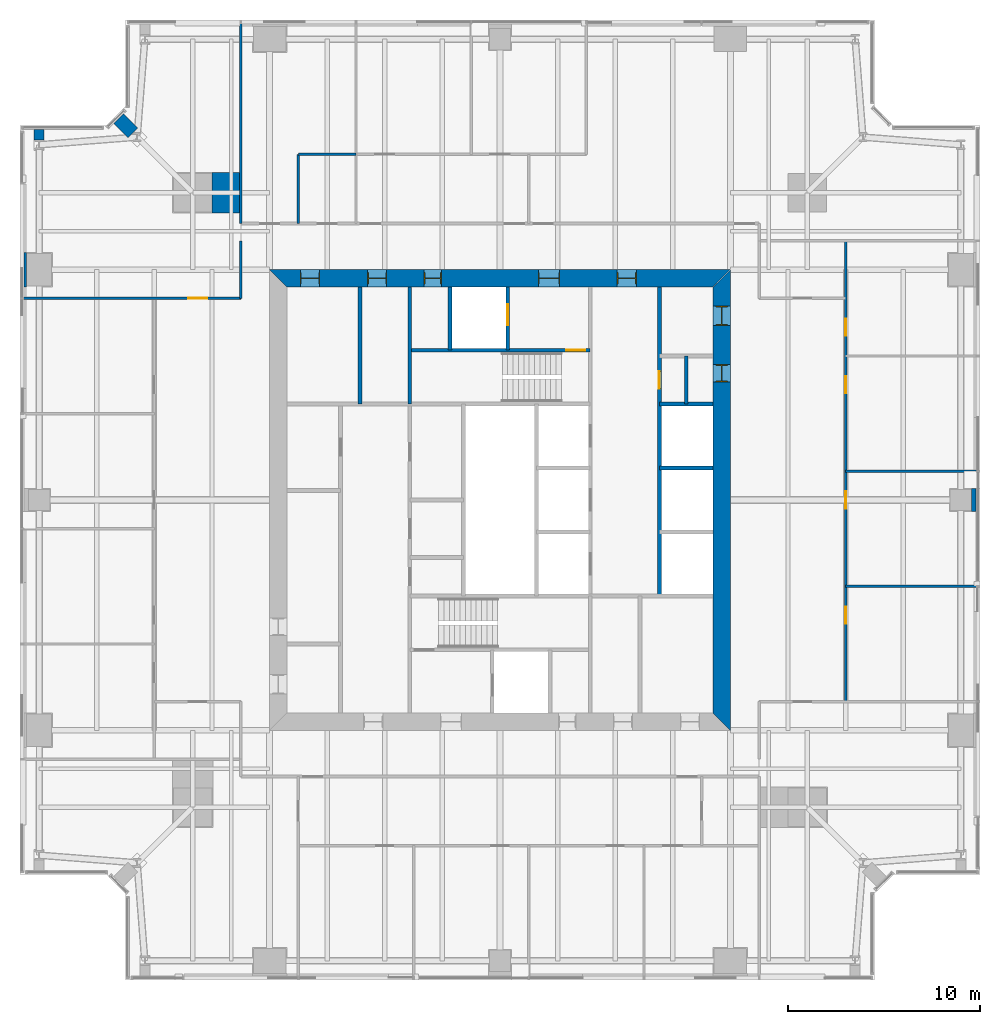
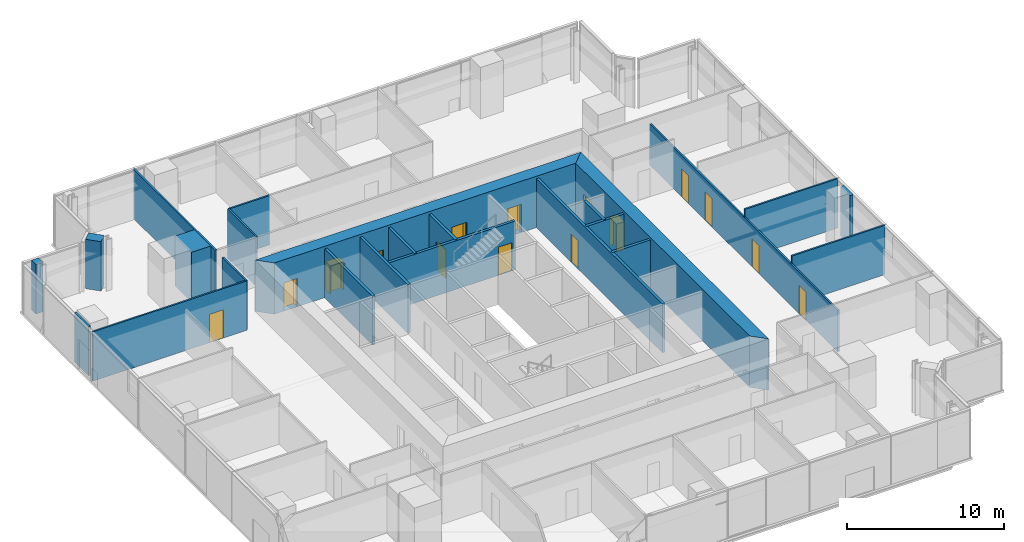
# One storey, part 11 of 14: 24 walls, 15 doors, 15 openings.
"""IFC4 building model written with IfcOpenShell, lengths in metres."""

from ifc_helpers import new_model, si_unit, direction, frame, frame_2d, origin, place, context, subcontext, project, spatial, polyline, rectangle, outline, extrude, material, layer, layer_set, type_object, element, fill, save


model = new_model("IFC4")

# Units and contexts
model_context = context("Model", 3, precision=1e-05, world=origin(), true_north=direction((0.0, 1.0)))
body_context = subcontext(model_context, "Body", "Model", "MODEL_VIEW")
ifc_project = project(units=[si_unit("LENGTHUNIT", "METRE"), si_unit("AREAUNIT", "SQUARE_METRE"), si_unit("VOLUMEUNIT", "CUBIC_METRE"), si_unit("PLANEANGLEUNIT", "RADIAN"), si_unit("MASSUNIT", "GRAM", prefix="KILO")], contexts=[model_context])

# Site, building, storey
site_placement = place(None, origin())
site = spatial("IfcSite", under=ifc_project, at=site_placement, CompositionType="ELEMENT")
building_placement = place(site_placement, origin())
building = spatial("IfcBuilding", under=site, at=building_placement, Name="Fenwick Lantern Interchange", CompositionType="ELEMENT")
storey_placement = place(building_placement, frame((0.0, 0.0, 225.800048828125)))
storey = spatial("IfcBuildingStorey", under=building, at=storey_placement, Name="L53", CompositionType="ELEMENT", Elevation=225.800048828125)

# Walls
ifc_material_1 = material(Name="Fire-rated gypsum board encasement on steel studs, 2 hour", Category="steel")
ifc_layer_1 = layer(ifc_material_1, 1.199951171875)
ifc_layer_set_1 = layer_set([ifc_layer_1], Name="COLUMN PIER 1200")
wall_type_1 = type_object("IfcWallType", Name="COLUMN PIER 1200", PredefinedType="PARTITIONING", material=ifc_layer_set_1)
wall_1_placement = place(storey_placement, frame((49.800048828125, 25.0, 0.0), z_axis=(0.0, 0.0, 1.0), x_axis=(-1.0, 0.0, 0.0)))
element("IfcWall", 1, at=wall_1_placement, inside=storey, type_object=wall_type_1, Name="L53/W/PIER/CE3", PredefinedType="PARTITIONING", context=body_context, shape_type="SweptSolid", body=[
    extrude(rectangle(XDim=0.25, YDim=1.199951171875, at=frame_2d((0.125, 0.0))), origin(), (0.0, 0.0, 1.0), 3.849853515625),
])
ifc_layer_2 = layer(ifc_material_1, 1.800048828125)
ifc_layer_set_2 = layer_set([ifc_layer_2], Name="COLUMN PIER 1800")
wall_type_2 = type_object("IfcWallType", Name="COLUMN PIER 1800", PredefinedType="PARTITIONING", material=ifc_layer_set_2)
wall_2_placement = place(storey_placement, frame((0.199951171875, 37.0, 0.0), z_axis=(0.0, 0.0, 1.0), x_axis=(1.0, 0.0, 0.0)))
element("IfcWall", 2, at=wall_2_placement, inside=storey, type_object=wall_type_2, Name="L53/W/PIER/CW2", PredefinedType="PARTITIONING", context=body_context, shape_type="SweptSolid", body=[
    extrude(rectangle(XDim=0.150146484375, YDim=1.800048828125, at=frame_2d((0.0751953125, 0.0))), origin(), (0.0, 0.0, 1.0), 3.849853515625),
])
ifc_layer_3 = layer(ifc_material_1, 2.10009765625)
ifc_layer_set_3 = layer_set([ifc_layer_3], Name="COLUMN PIER 2100")
wall_type_3 = type_object("IfcWallType", Name="COLUMN PIER 2100", PredefinedType="PARTITIONING", material=ifc_layer_set_3)
wall_3_placement = place(storey_placement, frame((11.4375, 41.0, 0.0), z_axis=(0.0, 0.0, 1.0), x_axis=(-1.0, 0.0, 0.0)))
element("IfcWall", 3, at=wall_3_placement, inside=storey, type_object=wall_type_3, Name="L53/W/PIER/M4", PredefinedType="PARTITIONING", context=body_context, shape_type="SweptSolid", body=[
    extrude(rectangle(XDim=1.4375, YDim=2.10009765625, at=frame_2d((0.71875, 0.0))), origin(), (0.0, 0.0, 1.0), 3.849853515625),
])
ifc_layer_4 = layer(ifc_material_1, 0.52392578125)
ifc_layer_set_4 = layer_set([ifc_layer_4], Name="COLUMN PIER 524")
wall_type_4 = type_object("IfcWallType", Name="COLUMN PIER 524", PredefinedType="PARTITIONING", material=ifc_layer_set_4)
wall_4_placement = place(storey_placement, frame((1.0, 44.300048828125, 0.0), z_axis=(0.0, 0.0, 1.0), x_axis=(0.0, -1.0, 0.0)))
element("IfcWall", 4, at=wall_4_placement, inside=storey, type_object=wall_type_4, Name="L53/W/PIER/CW1", PredefinedType="PARTITIONING", context=body_context, shape_type="SweptSolid", body=[
    extrude(rectangle(XDim=0.5625, YDim=0.52392578125, at=frame_2d((0.28125, 0.0))), origin(), (0.0, 0.0, 1.0), 3.849853515625),
])
ifc_layer_5 = layer(ifc_material_1, 0.736083984375)
ifc_layer_set_5 = layer_set([ifc_layer_5], Name="COLUMN PIER 736")
wall_type_5 = type_object("IfcWallType", Name="COLUMN PIER 736", PredefinedType="PARTITIONING", material=ifc_layer_set_5)
wall_5_placement = place(storey_placement, frame((5.141357421875, 44.858642578125, 0.0), z_axis=(0.0, 0.0, 1.0), x_axis=(0.707106781187, -0.707106781187, 0.0)))
element("IfcWall", 5, at=wall_5_placement, inside=storey, type_object=wall_type_5, Name="L53/W/PIER/CNR", PredefinedType="PARTITIONING", context=body_context, shape_type="SweptSolid", body=[
    extrude(rectangle(XDim=1.037841796875, YDim=0.736083984375, at=frame_2d((0.51904296875, 0.0))), origin(), (0.0, 0.0, 1.0), 3.849853515625),
])

# Wall, opening, door
ifc_material_2 = material(Name="Concrete masonry ASTM C90 Grade N", Category="masonry")
ifc_layer_6 = layer(ifc_material_2, 0.199951171875)
ifc_layer_set_6 = layer_set([ifc_layer_6], Name="Concrete masonry ASTM C90 Grade N")
wall_type_6 = type_object("IfcWallType", Name="CORE PARTITION 200", PredefinedType="PARTITIONING", material=ifc_layer_set_6)
wall_6_placement = place(storey_placement, frame((33.300048828125, 36.10009765625, 0.0), z_axis=(0.0, 0.0, 1.0), x_axis=(0.0, -1.0, 0.0)))
wall_6 = element("IfcWall", 6, at=wall_6_placement, inside=storey, type_object=wall_type_6, Name="L53/W/COREN/a", PredefinedType="PARTITIONING", context=body_context, shape_type="SweptSolid", body=[
    extrude(rectangle(XDim=16.10009765625, YDim=0.199951171875, at=frame_2d((8.050048828125, 0.0))), origin(), (0.0, 0.0, 1.0), 3.800048828125),
])
opening_1_placement = place(wall_6_placement, frame((4.39990234375, 0.0, 0.0)))
opening_1 = element("IfcOpeningElement", 7, at=opening_1_placement, cuts=wall_6, Name="Opening L53-D020", PredefinedType="OPENING", context=body_context, shape_type="SweptSolid", body=[
    extrude(rectangle(XDim=0.89990234375, YDim=2.199951171875, at=frame_2d((0.449951171875, 1.10009765625))), frame((0.0, 0.10986328125, 0.0), z_axis=(0.0, -1.0, 0.0), x_axis=(1.0, 0.0, 0.0)), (0.0, 0.0, 1.0), 0.219970703125),
])
ifc_material_3 = material(Name="Steel door and frame", Category="steel")
door_type_1 = type_object("IfcDoorType", Name="SERVICE DOOR 900 X 2200", OperationType="SINGLE_SWING_LEFT", PredefinedType="DOOR", material=ifc_material_3)
door_1_placement = place(opening_1_placement, origin())
door_1 = element("IfcDoor", 8, at=door_1_placement, inside=storey, type_object=door_type_1, Name="Service door", OperationType="SINGLE_SWING_LEFT", OverallHeight=2.199951171875, OverallWidth=0.89990234375, PredefinedType="DOOR", context=body_context, shape_type="SweptSolid", body=[
    extrude(rectangle(XDim=0.89990234375, YDim=2.199951171875, at=frame_2d((0.449951171875, 1.10009765625))), frame((0.0, 0.02490234375, 0.0), z_axis=(0.0, -1.0, 0.0), x_axis=(1.0, 0.0, 0.0)), (0.0, 0.0, 1.0), 0.050048828125),
])
fill(opening_1, door_1)

# Walls
for number, where, z_axis, x_axis, name in (
    (9, (36.10009765625, 30.0, 0.0), (0.0, 0.0, 1.0), (-1.0, 0.0, 0.0), "L53/W/COREN/c2"),
    (10, (36.10009765625, 26.666748046875, 0.0), (0.0, 0.0, 1.0), (-1.0, 0.0, 0.0), "L53/W/COREN/d1"),
):
    element("IfcWall", number, at=place(storey_placement, frame(where, z_axis=z_axis, x_axis=x_axis)), inside=storey, type_object=wall_type_6, Name=name, PredefinedType="PARTITIONING", context=body_context, shape_type="SweptSolid", body=[
        extrude(rectangle(XDim=2.800048828125, YDim=0.199951171875, at=frame_2d((1.39990234375, 0.0))), origin(), (0.0, 0.0, 1.0), 3.800048828125),
    ])

# Wall, opening, door
wall_7_placement = place(storey_placement, frame((25.39990234375, 36.10009765625, 0.0), z_axis=(0.0, 0.0, 1.0), x_axis=(0.0, -1.0, 0.0)))
wall_7 = element("IfcWall", 11, at=wall_7_placement, inside=storey, type_object=wall_type_6, Name="L53/W/COREN/h1", PredefinedType="PARTITIONING", context=body_context, shape_type="SweptSolid", body=[
    extrude(rectangle(XDim=3.300048828125, YDim=0.199951171875, at=frame_2d((1.64990234375, 0.0))), origin(), (0.0, 0.0, 1.0), 3.800048828125),
])
opening_2_placement = place(wall_7_placement, frame((0.89990234375, 0.0, 0.0)))
opening_2 = element("IfcOpeningElement", 12, at=opening_2_placement, cuts=wall_7, Name="Opening LD-FL2", PredefinedType="OPENING", context=body_context, shape_type="SweptSolid", body=[
    extrude(rectangle(XDim=1.10009765625, YDim=2.199951171875, at=frame_2d((0.550048828125, 1.10009765625))), frame((0.0, 0.10986328125, 0.0), z_axis=(0.0, -1.0, 0.0), x_axis=(1.0, 0.0, 0.0)), (0.0, 0.0, 1.0), 0.219970703125),
])
door_type_2 = type_object("IfcDoorType", Name="LIFT LANDING DOOR 1100 X 2200", OperationType="DOUBLE_DOOR_SLIDING", PredefinedType="DOOR", material=ifc_material_3)
door_2_placement = place(opening_2_placement, origin())
door_2 = element("IfcDoor", 13, at=door_2_placement, inside=storey, type_object=door_type_2, Name="Lift landing door FL2", OperationType="DOUBLE_DOOR_SLIDING", OverallHeight=2.199951171875, OverallWidth=1.10009765625, PredefinedType="DOOR", context=body_context, shape_type="SweptSolid", body=[
    extrude(rectangle(XDim=1.10009765625, YDim=2.199951171875, at=frame_2d((0.550048828125, 1.10009765625))), frame((0.0, 0.02490234375, 0.0), z_axis=(0.0, -1.0, 0.0), x_axis=(1.0, 0.0, 0.0)), (0.0, 0.0, 1.0), 0.050048828125),
])
fill(opening_2, door_2)

# Walls
wall_8_placement = place(storey_placement, frame((22.39990234375, 36.10009765625, 0.0), z_axis=(0.0, 0.0, 1.0), x_axis=(0.0, -1.0, 0.0)))
element("IfcWall", 14, at=wall_8_placement, inside=storey, type_object=wall_type_6, Name="L53/W/COREN/h2", PredefinedType="PARTITIONING", context=body_context, shape_type="SweptSolid", body=[
    extrude(rectangle(XDim=3.300048828125, YDim=0.199951171875, at=frame_2d((1.64990234375, 0.0))), origin(), (0.0, 0.0, 1.0), 3.800048828125),
])
wall_9_placement = place(storey_placement, frame((17.699951171875, 36.10009765625, 0.0), z_axis=(0.0, 0.0, 1.0), x_axis=(0.0, -1.0, 0.0)))
element("IfcWall", 15, at=wall_9_placement, inside=storey, type_object=wall_type_6, Name="L53/W/COREN/i2", PredefinedType="PARTITIONING", context=body_context, shape_type="SweptSolid", body=[
    extrude(rectangle(XDim=6.10009765625, YDim=0.199951171875, at=frame_2d((3.050048828125, 0.0))), origin(), (0.0, 0.0, 1.0), 3.800048828125),
])
wall_10_placement = place(storey_placement, frame((34.699951171875, 32.5, 0.0), z_axis=(0.0, 0.0, 1.0), x_axis=(0.0, -1.0, 0.0)))
element("IfcWall", 16, at=wall_10_placement, inside=storey, type_object=wall_type_6, Name="L53/W/COREN/px", PredefinedType="PARTITIONING", context=body_context, shape_type="SweptSolid", body=[
    extrude(rectangle(XDim=2.5, YDim=0.199951171875, at=frame_2d((1.25, 0.0))), origin(), (0.0, 0.0, 1.0), 3.800048828125),
])

# Wall, openings, doors
ifc_material_4 = material(Name="Concrete f'c 70 MPa", Category="concrete")
ifc_layer_7 = layer(ifc_material_4, 0.89990234375)
ifc_layer_set_7 = layer_set([ifc_layer_7], Name="CORE WALL 900")
wall_type_7 = type_object("IfcWallType", Name="CORE WALL 900", PredefinedType="SHEAR", material=ifc_layer_set_7)
wall_11_placement = place(storey_placement, frame((36.550048828125, 13.89990234375, 0.0), z_axis=(0.0, 0.0, 1.0), x_axis=(0.0, 1.0, 0.0)))
wall_11 = element("IfcWall", 17, at=wall_11_placement, inside=storey, type_object=wall_type_7, Name="L53/CORE/E", PredefinedType="SHEAR", context=body_context, shape_type="SweptSolid", body=[
    extrude(outline(polyline([(-0.89990234375, -0.449951171875), (23.10009765625, -0.449951171875), (22.199951171875, 0.449951171875), (0.0, 0.449951171875), (-0.89990234375, -0.449951171875)])), origin(), (0.0, 0.0, 1.0), 4.0),
])
opening_3_placement = place(wall_11_placement, frame((20.199951171875, 0.0, 0.0)))
opening_3 = element("IfcOpeningElement", 18, at=opening_3_placement, cuts=wall_11, Name="Opening L53-D019", PredefinedType="OPENING", context=body_context, shape_type="SweptSolid", body=[
    extrude(rectangle(XDim=1.0, YDim=2.199951171875, at=frame_2d((0.5, 1.10009765625))), frame((0.0, 0.4599609375, 0.0), z_axis=(0.0, -1.0, 0.0), x_axis=(1.0, 0.0, 0.0)), (0.0, 0.0, 1.0), 0.919921875),
])
opening_4_placement = place(wall_11_placement, frame((17.25, 0.0, 0.0)))
opening_4 = element("IfcOpeningElement", 19, at=opening_4_placement, cuts=wall_11, Name="Opening L53-D021", PredefinedType="OPENING", context=body_context, shape_type="SweptSolid", body=[
    extrude(rectangle(XDim=0.89990234375, YDim=2.199951171875, at=frame_2d((0.449951171875, 1.10009765625))), frame((0.0, 0.4599609375, 0.0), z_axis=(0.0, -1.0, 0.0), x_axis=(1.0, 0.0, 0.0)), (0.0, 0.0, 1.0), 0.919921875),
])
door_3_placement = place(opening_4_placement, origin())
door_3 = element("IfcDoor", 20, at=door_3_placement, inside=storey, type_object=door_type_1, Name="Service door", OperationType="SINGLE_SWING_RIGHT", OverallHeight=2.199951171875, OverallWidth=0.89990234375, PredefinedType="DOOR", context=body_context, shape_type="SweptSolid", body=[
    extrude(rectangle(XDim=0.89990234375, YDim=2.199951171875, at=frame_2d((0.449951171875, 1.10009765625))), frame((0.0, 0.02490234375, 0.0), z_axis=(0.0, -1.0, 0.0), x_axis=(1.0, 0.0, 0.0)), (0.0, 0.0, 1.0), 0.050048828125),
    extrude(outline(polyline([(0.0, 0.0), (0.0400390625, 0.0), (0.0400390625, 2.159912109375), (0.85986328125, 2.159912109375), (0.85986328125, 0.0), (0.89990234375, 0.0), (0.89990234375, 2.199951171875), (0.0, 2.199951171875), (0.0, 0.0)])), frame((0.0, 0.300048828125, 0.0), z_axis=(0.0, -1.0, 0.0), x_axis=(1.0, 0.0, 0.0)), (0.0, 0.0, 1.0), 0.60009765625),
])
fill(opening_4, door_3)
ifc_material_5 = material(Name="Hardwood door and steel frame", Category="steel")
door_type_3 = type_object("IfcDoorType", Name="WC DOOR 1000 X 2200", OperationType="SINGLE_SWING_LEFT", PredefinedType="DOOR", material=ifc_material_5)
door_4_placement = place(opening_3_placement, origin())
door_4 = element("IfcDoor", 21, at=door_4_placement, inside=storey, type_object=door_type_3, Name="Wc door", OperationType="SINGLE_SWING_RIGHT", OverallHeight=2.199951171875, OverallWidth=1.0, PredefinedType="DOOR", context=body_context, shape_type="SweptSolid", body=[
    extrude(rectangle(XDim=1.0, YDim=2.199951171875, at=frame_2d((0.5, 1.10009765625))), frame((0.0, 0.02490234375, 0.0), z_axis=(0.0, -1.0, 0.0), x_axis=(1.0, 0.0, 0.0)), (0.0, 0.0, 1.0), 0.050048828125),
    extrude(outline(polyline([(0.0, 0.0), (0.0400390625, 0.0), (0.0400390625, 2.159912109375), (0.9599609375, 2.159912109375), (0.9599609375, 0.0), (1.0, 0.0), (1.0, 2.199951171875), (0.0, 2.199951171875), (0.0, 0.0)])), frame((0.0, 0.300048828125, 0.0), z_axis=(0.0, -1.0, 0.0), x_axis=(1.0, 0.0, 0.0)), (0.0, 0.0, 1.0), 0.60009765625),
])
fill(opening_3, door_4)

wall_12_placement = place(storey_placement, frame((37.0, 36.550048828125, 0.0), z_axis=(0.0, 0.0, 1.0), x_axis=(-1.0, 0.0, 0.0)))
wall_12 = element("IfcWall", 22, at=wall_12_placement, inside=storey, type_object=wall_type_7, Name="L53/CORE/N", PredefinedType="SHEAR", context=body_context, shape_type="SweptSolid", body=[
    extrude(outline(polyline([(0.0, -0.449951171875), (24.0, -0.449951171875), (23.10009765625, 0.449951171875), (0.89990234375, 0.449951171875), (0.0, -0.449951171875)])), origin(), (0.0, 0.0, 1.0), 4.0),
])
opening_5_placement = place(wall_12_placement, frame((4.89990234375, 0.0, 0.0)))
opening_5 = element("IfcOpeningElement", 23, at=opening_5_placement, cuts=wall_12, Name="Opening L53-D013", PredefinedType="OPENING", context=body_context, shape_type="SweptSolid", body=[
    extrude(rectangle(XDim=1.0, YDim=2.199951171875, at=frame_2d((0.5, 1.10009765625))), frame((0.0, 0.4599609375, 0.0), z_axis=(0.0, -1.0, 0.0), x_axis=(1.0, 0.0, 0.0)), (0.0, 0.0, 1.0), 0.919921875),
])
opening_6_placement = place(wall_12_placement, frame((8.89990234375, 0.0, 0.0)))
opening_6 = element("IfcOpeningElement", 24, at=opening_6_placement, cuts=wall_12, Name="Opening L53-D014", PredefinedType="OPENING", context=body_context, shape_type="SweptSolid", body=[
    extrude(rectangle(XDim=1.10009765625, YDim=2.199951171875, at=frame_2d((0.550048828125, 1.10009765625))), frame((0.0, 0.4599609375, 0.0), z_axis=(0.0, -1.0, 0.0), x_axis=(1.0, 0.0, 0.0)), (0.0, 0.0, 1.0), 0.919921875),
])
opening_7_placement = place(wall_12_placement, frame((15.050048828125, 0.0, 0.0)))
opening_7 = element("IfcOpeningElement", 25, at=opening_7_placement, cuts=wall_12, Name="Opening L53-D016", PredefinedType="OPENING", context=body_context, shape_type="SweptSolid", body=[
    extrude(rectangle(XDim=0.89990234375, YDim=2.199951171875, at=frame_2d((0.449951171875, 1.10009765625))), frame((0.0, 0.4599609375, 0.0), z_axis=(0.0, -1.0, 0.0), x_axis=(1.0, 0.0, 0.0)), (0.0, 0.0, 1.0), 0.919921875),
])
opening_8_placement = place(wall_12_placement, frame((17.89990234375, 0.0, 0.0)))
opening_8 = element("IfcOpeningElement", 26, at=opening_8_placement, cuts=wall_12, Name="Opening L53-D017", PredefinedType="OPENING", context=body_context, shape_type="SweptSolid", body=[
    extrude(rectangle(XDim=1.0, YDim=2.199951171875, at=frame_2d((0.5, 1.10009765625))), frame((0.0, 0.4599609375, 0.0), z_axis=(0.0, -1.0, 0.0), x_axis=(1.0, 0.0, 0.0)), (0.0, 0.0, 1.0), 0.919921875),
])
opening_9_placement = place(wall_12_placement, frame((21.39990234375, 0.0, 0.0)))
opening_9 = element("IfcOpeningElement", 27, at=opening_9_placement, cuts=wall_12, Name="Opening L53-D018", PredefinedType="OPENING", context=body_context, shape_type="SweptSolid", body=[
    extrude(rectangle(XDim=1.0, YDim=2.199951171875, at=frame_2d((0.5, 1.10009765625))), frame((0.0, 0.4599609375, 0.0), z_axis=(0.0, -1.0, 0.0), x_axis=(1.0, 0.0, 0.0)), (0.0, 0.0, 1.0), 0.919921875),
])
door_type_4 = type_object("IfcDoorType", Name="CORE LOBBY DOOR 1000 X 2200", OperationType="SINGLE_SWING_LEFT", PredefinedType="DOOR", material=ifc_material_3)
door_5_placement = place(opening_5_placement, origin())
door_5 = element("IfcDoor", 28, at=door_5_placement, inside=storey, type_object=door_type_4, Name="Core lobby door", OperationType="SINGLE_SWING_LEFT", OverallHeight=2.199951171875, OverallWidth=1.0, PredefinedType="DOOR", context=body_context, shape_type="SweptSolid", body=[
    extrude(rectangle(XDim=1.0, YDim=2.199951171875, at=frame_2d((0.5, 1.10009765625))), frame((0.0, 0.02490234375, 0.0), z_axis=(0.0, -1.0, 0.0), x_axis=(1.0, 0.0, 0.0)), (0.0, 0.0, 1.0), 0.050048828125),
    extrude(outline(polyline([(0.0, 0.0), (0.0400390625, 0.0), (0.0400390625, 2.159912109375), (0.9599609375, 2.159912109375), (0.9599609375, 0.0), (1.0, 0.0), (1.0, 2.199951171875), (0.0, 2.199951171875), (0.0, 0.0)])), frame((0.0, 0.300048828125, 0.0), z_axis=(0.0, -1.0, 0.0), x_axis=(1.0, 0.0, 0.0)), (0.0, 0.0, 1.0), 0.60009765625),
])
fill(opening_5, door_5)
door_type_5 = type_object("IfcDoorType", Name="FIRE LOBBY DOOR 1100 X 2200", OperationType="SINGLE_SWING_LEFT", PredefinedType="DOOR", material=ifc_material_3)
door_6_placement = place(opening_6_placement, origin())
door_6 = element("IfcDoor", 29, at=door_6_placement, inside=storey, type_object=door_type_5, Name="Fire lobby door", OperationType="SINGLE_SWING_LEFT", OverallHeight=2.199951171875, OverallWidth=1.10009765625, PredefinedType="DOOR", context=body_context, shape_type="SweptSolid", body=[
    extrude(rectangle(XDim=1.10009765625, YDim=2.199951171875, at=frame_2d((0.550048828125, 1.10009765625))), frame((0.0, 0.02490234375, 0.0), z_axis=(0.0, -1.0, 0.0), x_axis=(1.0, 0.0, 0.0)), (0.0, 0.0, 1.0), 0.050048828125),
    extrude(outline(polyline([(0.0, 0.0), (0.0400390625, 0.0), (0.0400390625, 2.159912109375), (1.06005859375, 2.159912109375), (1.06005859375, 0.0), (1.10009765625, 0.0), (1.10009765625, 2.199951171875), (0.0, 2.199951171875), (0.0, 0.0)])), frame((0.0, 0.300048828125, 0.0), z_axis=(0.0, -1.0, 0.0), x_axis=(1.0, 0.0, 0.0)), (0.0, 0.0, 1.0), 0.60009765625),
])
fill(opening_6, door_6)
door_7_placement = place(opening_7_placement, origin())
door_7 = element("IfcDoor", 30, at=door_7_placement, inside=storey, type_object=door_type_1, Name="Service door", OperationType="SINGLE_SWING_LEFT", OverallHeight=2.199951171875, OverallWidth=0.89990234375, PredefinedType="DOOR", context=body_context, shape_type="SweptSolid", body=[
    extrude(rectangle(XDim=0.89990234375, YDim=2.199951171875, at=frame_2d((0.449951171875, 1.10009765625))), frame((0.0, 0.02490234375, 0.0), z_axis=(0.0, -1.0, 0.0), x_axis=(1.0, 0.0, 0.0)), (0.0, 0.0, 1.0), 0.050048828125),
    extrude(outline(polyline([(0.0, 0.0), (0.0400390625, 0.0), (0.0400390625, 2.159912109375), (0.85986328125, 2.159912109375), (0.85986328125, 0.0), (0.89990234375, 0.0), (0.89990234375, 2.199951171875), (0.0, 2.199951171875), (0.0, 0.0)])), frame((0.0, 0.300048828125, 0.0), z_axis=(0.0, -1.0, 0.0), x_axis=(1.0, 0.0, 0.0)), (0.0, 0.0, 1.0), 0.60009765625),
])
fill(opening_7, door_7)
door_8_placement = place(opening_8_placement, origin())
door_8 = element("IfcDoor", 31, at=door_8_placement, inside=storey, type_object=door_type_3, Name="Wc door", OperationType="SINGLE_SWING_RIGHT", OverallHeight=2.199951171875, OverallWidth=1.0, PredefinedType="DOOR", context=body_context, shape_type="SweptSolid", body=[
    extrude(rectangle(XDim=1.0, YDim=2.199951171875, at=frame_2d((0.5, 1.10009765625))), frame((0.0, 0.02490234375, 0.0), z_axis=(0.0, -1.0, 0.0), x_axis=(1.0, 0.0, 0.0)), (0.0, 0.0, 1.0), 0.050048828125),
    extrude(outline(polyline([(0.0, 0.0), (0.0400390625, 0.0), (0.0400390625, 2.159912109375), (0.9599609375, 2.159912109375), (0.9599609375, 0.0), (1.0, 0.0), (1.0, 2.199951171875), (0.0, 2.199951171875), (0.0, 0.0)])), frame((0.0, 0.300048828125, 0.0), z_axis=(0.0, -1.0, 0.0), x_axis=(1.0, 0.0, 0.0)), (0.0, 0.0, 1.0), 0.60009765625),
])
fill(opening_8, door_8)
door_9_placement = place(opening_9_placement, origin())
door_9 = element("IfcDoor", 32, at=door_9_placement, inside=storey, type_object=door_type_3, Name="Wc door", OperationType="SINGLE_SWING_RIGHT", OverallHeight=2.199951171875, OverallWidth=1.0, PredefinedType="DOOR", context=body_context, shape_type="SweptSolid", body=[
    extrude(rectangle(XDim=1.0, YDim=2.199951171875, at=frame_2d((0.5, 1.10009765625))), frame((0.0, 0.02490234375, 0.0), z_axis=(0.0, -1.0, 0.0), x_axis=(1.0, 0.0, 0.0)), (0.0, 0.0, 1.0), 0.050048828125),
    extrude(outline(polyline([(0.0, 0.0), (0.0400390625, 0.0), (0.0400390625, 2.159912109375), (0.9599609375, 2.159912109375), (0.9599609375, 0.0), (1.0, 0.0), (1.0, 2.199951171875), (0.0, 2.199951171875), (0.0, 0.0)])), frame((0.0, 0.300048828125, 0.0), z_axis=(0.0, -1.0, 0.0), x_axis=(1.0, 0.0, 0.0)), (0.0, 0.0, 1.0), 0.60009765625),
])
fill(opening_9, door_9)

# Walls
ifc_material_6 = material(Name="Gypsum board on steel studs, acoustic", Category="steel")
ifc_layer_8 = layer(ifc_material_6, 0.125)
ifc_layer_set_8 = layer_set([ifc_layer_8], Name="OFFICE PARTITION 125")
wall_type_8 = type_object("IfcWallType", Name="OFFICE PARTITION 125", PredefinedType="PARTITIONING", material=ifc_layer_set_8)
for number, where, z_axis, x_axis, name in (
    (33, (49.85009765625, 20.5, 0.0), (0.0, 0.0, 1.0), (-1.0, 0.0, 0.0), "L53/W/OFF/E/X205-1"),
    (34, (49.85009765625, 26.5, 0.0), (0.0, 0.0, 1.0), (-1.0, 0.0, 0.0), "L53/W/OFF/E/X265-1"),
):
    element("IfcWall", number, at=place(storey_placement, frame(where, z_axis=z_axis, x_axis=x_axis)), inside=storey, type_object=wall_type_8, Name=name, PredefinedType="PARTITIONING", context=body_context, shape_type="SweptSolid", body=[
        extrude(rectangle(XDim=6.85009765625, YDim=0.125, at=frame_2d((3.425048828125, 0.0))), origin(), (0.0, 0.0, 1.0), 3.849853515625),
    ])

# Wall, openings, doors
wall_13_placement = place(storey_placement, frame((43.0, 14.5, 0.0), z_axis=(0.0, 0.0, 1.0), x_axis=(0.0, 1.0, 0.0)))
wall_13 = element("IfcWall", 35, at=wall_13_placement, inside=storey, type_object=wall_type_8, Name="L53/W/OFF/E/Y70-1", PredefinedType="PARTITIONING", context=body_context, shape_type="SweptSolid", body=[
    extrude(rectangle(XDim=24.0, YDim=0.125, at=frame_2d((12.0, 0.0))), origin(), (0.0, 0.0, 1.0), 3.23779296875),
])
opening_10_placement = place(wall_13_placement, frame((4.050048828125, 0.0, 0.0)))
opening_10 = element("IfcOpeningElement", 36, at=opening_10_placement, cuts=wall_13, Name="Opening L53-D031", PredefinedType="OPENING", context=body_context, shape_type="SweptSolid", body=[
    extrude(rectangle(XDim=0.89990234375, YDim=2.199951171875, at=frame_2d((0.449951171875, 1.10009765625))), frame((0.0, 0.072509765625, 0.0), z_axis=(0.0, -1.0, 0.0), x_axis=(1.0, 0.0, 0.0)), (0.0, 0.0, 1.0), 0.14501953125),
])
opening_11_placement = place(wall_13_placement, frame((10.050048828125, 0.0, 0.0)))
opening_11 = element("IfcOpeningElement", 37, at=opening_11_placement, cuts=wall_13, Name="Opening L53-D032", PredefinedType="OPENING", context=body_context, shape_type="SweptSolid", body=[
    extrude(rectangle(XDim=0.89990234375, YDim=2.199951171875, at=frame_2d((0.449951171875, 1.10009765625))), frame((0.0, 0.072509765625, 0.0), z_axis=(0.0, -1.0, 0.0), x_axis=(1.0, 0.0, 0.0)), (0.0, 0.0, 1.0), 0.14501953125),
])
opening_12_placement = place(wall_13_placement, frame((16.050048828125, 0.0, 0.0)))
opening_12 = element("IfcOpeningElement", 38, at=opening_12_placement, cuts=wall_13, Name="Opening L53-D033", PredefinedType="OPENING", context=body_context, shape_type="SweptSolid", body=[
    extrude(rectangle(XDim=0.89990234375, YDim=2.199951171875, at=frame_2d((0.449951171875, 1.10009765625))), frame((0.0, 0.072509765625, 0.0), z_axis=(0.0, -1.0, 0.0), x_axis=(1.0, 0.0, 0.0)), (0.0, 0.0, 1.0), 0.14501953125),
])
opening_13_placement = place(wall_13_placement, frame((19.050048828125, 0.0, 0.0)))
opening_13 = element("IfcOpeningElement", 39, at=opening_13_placement, cuts=wall_13, Name="Opening L53-D034", PredefinedType="OPENING", context=body_context, shape_type="SweptSolid", body=[
    extrude(rectangle(XDim=0.89990234375, YDim=2.199951171875, at=frame_2d((0.449951171875, 1.10009765625))), frame((0.0, 0.072509765625, 0.0), z_axis=(0.0, -1.0, 0.0), x_axis=(1.0, 0.0, 0.0)), (0.0, 0.0, 1.0), 0.14501953125),
])
door_type_6 = type_object("IfcDoorType", Name="OFFICE DOOR 900 X 2200", OperationType="SINGLE_SWING_LEFT", PredefinedType="DOOR", material=ifc_material_5)
door_10_placement = place(opening_10_placement, frame((0.89990234375, 0.0, 0.0), z_axis=(0.0, 0.0, 1.0), x_axis=(-1.0, 0.0, 0.0)))
door_10 = element("IfcDoor", 40, at=door_10_placement, inside=storey, type_object=door_type_6, Name="Office door", OperationType="SINGLE_SWING_LEFT", OverallHeight=2.199951171875, OverallWidth=0.89990234375, PredefinedType="DOOR", context=body_context, shape_type="SweptSolid", body=[
    extrude(rectangle(XDim=0.89990234375, YDim=2.199951171875, at=frame_2d((0.449951171875, 1.10009765625))), frame((0.0, 0.02490234375, 0.0), z_axis=(0.0, -1.0, 0.0), x_axis=(1.0, 0.0, 0.0)), (0.0, 0.0, 1.0), 0.050048828125),
])
fill(opening_10, door_10)
door_11_placement = place(opening_11_placement, frame((0.89990234375, 0.0, 0.0), z_axis=(0.0, 0.0, 1.0), x_axis=(-1.0, 0.0, 0.0)))
door_11 = element("IfcDoor", 41, at=door_11_placement, inside=storey, type_object=door_type_6, Name="Office door", OperationType="SINGLE_SWING_LEFT", OverallHeight=2.199951171875, OverallWidth=0.89990234375, PredefinedType="DOOR", context=body_context, shape_type="SweptSolid", body=[
    extrude(rectangle(XDim=0.89990234375, YDim=2.199951171875, at=frame_2d((0.449951171875, 1.10009765625))), frame((0.0, 0.02490234375, 0.0), z_axis=(0.0, -1.0, 0.0), x_axis=(1.0, 0.0, 0.0)), (0.0, 0.0, 1.0), 0.050048828125),
])
fill(opening_11, door_11)
door_12_placement = place(opening_12_placement, frame((0.89990234375, 0.0, 0.0), z_axis=(0.0, 0.0, 1.0), x_axis=(-1.0, 0.0, 0.0)))
door_12 = element("IfcDoor", 42, at=door_12_placement, inside=storey, type_object=door_type_6, Name="Office door", OperationType="SINGLE_SWING_LEFT", OverallHeight=2.199951171875, OverallWidth=0.89990234375, PredefinedType="DOOR", context=body_context, shape_type="SweptSolid", body=[
    extrude(rectangle(XDim=0.89990234375, YDim=2.199951171875, at=frame_2d((0.449951171875, 1.10009765625))), frame((0.0, 0.02490234375, 0.0), z_axis=(0.0, -1.0, 0.0), x_axis=(1.0, 0.0, 0.0)), (0.0, 0.0, 1.0), 0.050048828125),
])
fill(opening_12, door_12)
door_13_placement = place(opening_13_placement, frame((0.89990234375, 0.0, 0.0), z_axis=(0.0, 0.0, 1.0), x_axis=(-1.0, 0.0, 0.0)))
door_13 = element("IfcDoor", 43, at=door_13_placement, inside=storey, type_object=door_type_6, Name="Office door", OperationType="SINGLE_SWING_RIGHT", OverallHeight=2.199951171875, OverallWidth=0.89990234375, PredefinedType="DOOR", context=body_context, shape_type="SweptSolid", body=[
    extrude(rectangle(XDim=0.89990234375, YDim=2.199951171875, at=frame_2d((0.449951171875, 1.10009765625))), frame((0.0, 0.02490234375, 0.0), z_axis=(0.0, -1.0, 0.0), x_axis=(1.0, 0.0, 0.0)), (0.0, 0.0, 1.0), 0.050048828125),
])
fill(opening_13, door_13)

# Walls
wall_14_placement = place(storey_placement, frame((14.5, 43.0, 0.0), z_axis=(0.0, 0.0, 1.0), x_axis=(0.0, -1.0, 0.0)))
element("IfcWall", 44, at=wall_14_placement, inside=storey, type_object=wall_type_8, Name="L53/W/OFF/N/X355-1", PredefinedType="PARTITIONING", context=body_context, shape_type="SweptSolid", body=[
    extrude(rectangle(XDim=3.60009765625, YDim=0.125, at=frame_2d((1.800048828125, 0.0))), origin(), (0.0, 0.0, 1.0), 3.849853515625),
])
wall_15_placement = place(storey_placement, frame((17.5, 43.0, 0.0), z_axis=(0.0, 0.0, 1.0), x_axis=(-1.0, 0.0, 0.0)))
element("IfcWall", 45, at=wall_15_placement, inside=storey, type_object=wall_type_8, Name="L53/W/OFF/N/Y70-2", PredefinedType="PARTITIONING", context=body_context, shape_type="SweptSolid", body=[
    extrude(rectangle(XDim=3.0, YDim=0.125, at=frame_2d((1.5, 0.0))), origin(), (0.0, 0.0, 1.0), 3.849853515625),
])
wall_16_placement = place(storey_placement, frame((11.5, 49.85009765625, 0.0), z_axis=(0.0, 0.0, 1.0), x_axis=(0.0, -1.0, 0.0)))
element("IfcWall", 46, at=wall_16_placement, inside=storey, type_object=wall_type_8, Name="L53/W/OFF/W/BACK", PredefinedType="PARTITIONING", context=body_context, shape_type="SweptSolid", body=[
    extrude(rectangle(XDim=10.4501953125, YDim=0.125, at=frame_2d((5.22509765625, 0.0))), origin(), (0.0, 0.0, 1.0), 3.849853515625),
])

# Wall, opening, door
wall_17_placement = place(storey_placement, frame((0.14990234375, 35.5, 0.0), z_axis=(0.0, 0.0, 1.0), x_axis=(1.0, 0.0, 0.0)))
wall_17 = element("IfcWall", 47, at=wall_17_placement, inside=storey, type_object=wall_type_8, Name="L53/W/OFF/W/X145-1", PredefinedType="PARTITIONING", context=body_context, shape_type="SweptSolid", body=[
    extrude(rectangle(XDim=11.35009765625, YDim=0.125, at=frame_2d((5.675048828125, 0.0))), origin(), (0.0, 0.0, 1.0), 3.849853515625),
])
opening_14_placement = place(wall_17_placement, frame((8.60009765625, 0.0, 0.0)))
opening_14 = element("IfcOpeningElement", 48, at=opening_14_placement, cuts=wall_17, Name="Opening L53-D044", PredefinedType="OPENING", context=body_context, shape_type="SweptSolid", body=[
    extrude(rectangle(XDim=1.0, YDim=2.199951171875, at=frame_2d((0.5, 1.10009765625))), frame((0.0, 0.072509765625, 0.0), z_axis=(0.0, -1.0, 0.0), x_axis=(1.0, 0.0, 0.0)), (0.0, 0.0, 1.0), 0.14501953125),
])
door_type_7 = type_object("IfcDoorType", Name="MEETING ROOM DOOR 1000 X 2200", OperationType="SINGLE_SWING_LEFT", PredefinedType="DOOR", material=ifc_material_5)
door_14_placement = place(opening_14_placement, origin())
door_14 = element("IfcDoor", 49, at=door_14_placement, inside=storey, type_object=door_type_7, Name="Meeting room door", OperationType="SINGLE_SWING_RIGHT", OverallHeight=2.199951171875, OverallWidth=1.0, PredefinedType="DOOR", context=body_context, shape_type="SweptSolid", body=[
    extrude(rectangle(XDim=1.0, YDim=2.199951171875, at=frame_2d((0.5, 1.10009765625))), frame((0.0, 0.02490234375, 0.0), z_axis=(0.0, -1.0, 0.0), x_axis=(1.0, 0.0, 0.0)), (0.0, 0.0, 1.0), 0.050048828125),
])
fill(opening_14, door_14)

# Wall
wall_18_placement = place(storey_placement, frame((11.5, 38.5, 0.0), z_axis=(0.0, 0.0, 1.0), x_axis=(0.0, -1.0, 0.0)))
element("IfcWall", 50, at=wall_18_placement, inside=storey, type_object=wall_type_8, Name="L53/W/OFF/W/CWS1", PredefinedType="PARTITIONING", context=body_context, shape_type="SweptSolid", body=[
    extrude(rectangle(XDim=3.0, YDim=0.125, at=frame_2d((1.5, 0.0))), origin(), (0.0, 0.0, 1.0), 3.849853515625),
])

# Wall, opening, door
ifc_material_7 = material(Name="Concrete f'c 45 MPa", Category="concrete")
ifc_layer_9 = layer(ifc_material_7, 0.199951171875)
ifc_layer_set_9 = layer_set([ifc_layer_9], Name="STAIR CORE WALL 200")
wall_type_9 = type_object("IfcWallType", Name="STAIR CORE WALL 200", PredefinedType="SOLIDWALL", material=ifc_layer_set_9)
wall_19_placement = place(storey_placement, frame((29.699951171875, 32.800048828125, 0.0), z_axis=(0.0, 0.0, 1.0), x_axis=(-1.0, 0.0, 0.0)))
wall_19 = element("IfcWall", 51, at=wall_19_placement, inside=storey, type_object=wall_type_9, Name="L53/W/COREN/g1", PredefinedType="SOLIDWALL", context=body_context, shape_type="SweptSolid", body=[
    extrude(rectangle(XDim=9.39990234375, YDim=0.199951171875, at=frame_2d((4.699951171875, 0.0))), origin(), (0.0, 0.0, 1.0), 3.800048828125),
])
opening_15_placement = place(wall_19_placement, frame((0.25, 0.0, 0.0)))
opening_15 = element("IfcOpeningElement", 52, at=opening_15_placement, cuts=wall_19, Name="Opening L53-D015", PredefinedType="OPENING", context=body_context, shape_type="SweptSolid", body=[
    extrude(rectangle(XDim=1.0, YDim=2.199951171875, at=frame_2d((0.5, 1.10009765625))), frame((0.0, 0.10986328125, 0.0), z_axis=(0.0, -1.0, 0.0), x_axis=(1.0, 0.0, 0.0)), (0.0, 0.0, 1.0), 0.219970703125),
])
door_type_8 = type_object("IfcDoorType", Name="STAIR DOOR 1000 X 2200", OperationType="SINGLE_SWING_LEFT", PredefinedType="DOOR", material=ifc_material_3)
door_15_placement = place(opening_15_placement, origin())
door_15 = element("IfcDoor", 53, at=door_15_placement, inside=storey, type_object=door_type_8, Name="Stair door", OperationType="SINGLE_SWING_LEFT", OverallHeight=2.199951171875, OverallWidth=1.0, PredefinedType="DOOR", context=body_context, shape_type="SweptSolid", body=[
    extrude(rectangle(XDim=1.0, YDim=2.199951171875, at=frame_2d((0.5, 1.10009765625))), frame((0.0, 0.02490234375, 0.0), z_axis=(0.0, -1.0, 0.0), x_axis=(1.0, 0.0, 0.0)), (0.0, 0.0, 1.0), 0.050048828125),
])
fill(opening_15, door_15)

# Wall
wall_20_placement = place(storey_placement, frame((20.300048828125, 36.10009765625, 0.0), z_axis=(0.0, 0.0, 1.0), x_axis=(0.0, -1.0, 0.0)))
element("IfcWall", 54, at=wall_20_placement, inside=storey, type_object=wall_type_9, Name="L53/W/COREN/i1", PredefinedType="SOLIDWALL", context=body_context, shape_type="SweptSolid", body=[
    extrude(rectangle(XDim=6.10009765625, YDim=0.199951171875, at=frame_2d((3.050048828125, 0.0))), origin(), (0.0, 0.0, 1.0), 3.800048828125),
])

save(model, "model.ifc")
